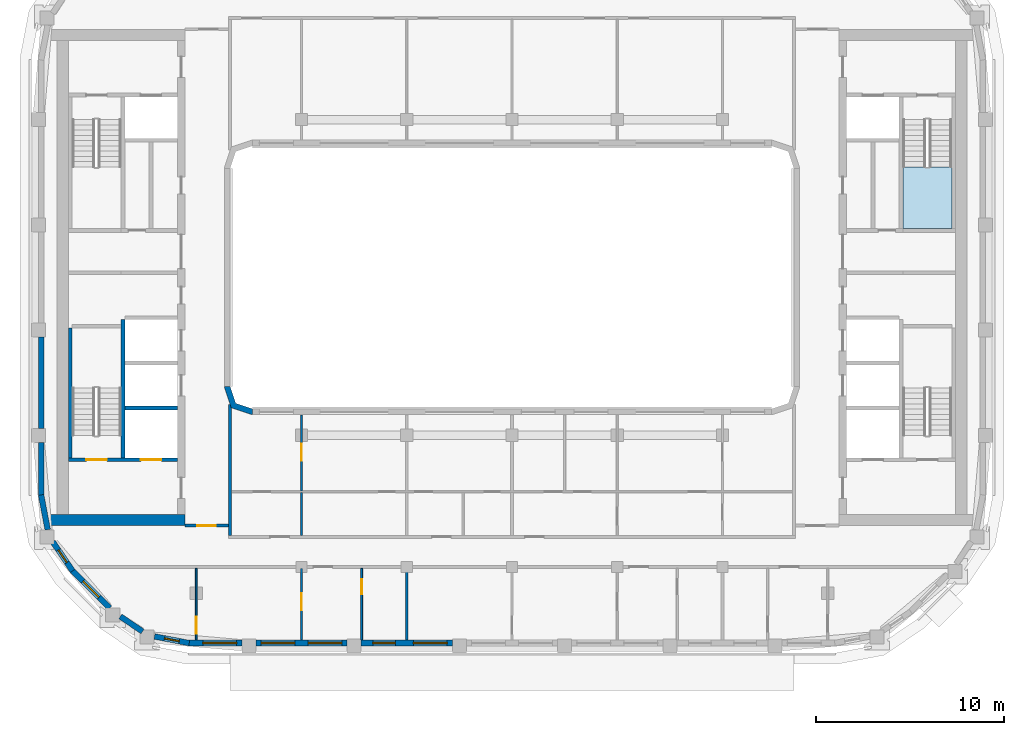
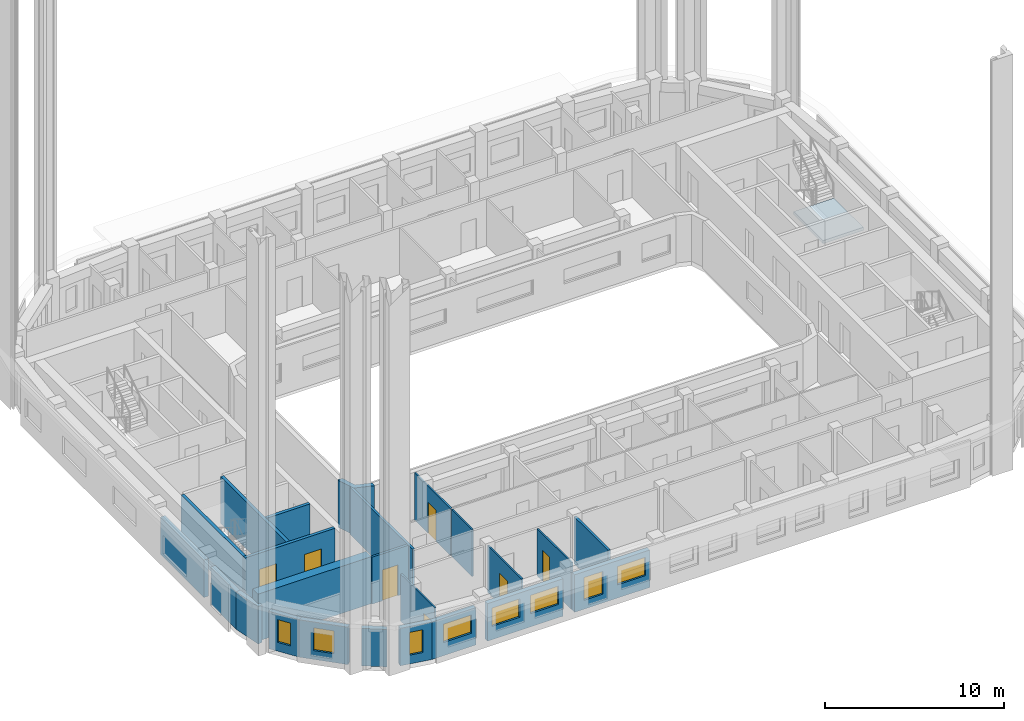
# One storey, part 2 of 15: 24 walls, 8 windows, 7 doors, 1 slab, 15 openings, 1 element without a shape of its own.
"""IFC4 building model written with IfcOpenShell, lengths in metres."""

from ifc_helpers import new_model, si_unit, direction, frame, frame_2d, origin, place, context, subcontext, project, spatial, polyline, rectangle, outline, extrude, material, layer, layer_set, type_object, element, fill, aggregate, save


model = new_model("IFC4")

# Units and contexts
model_context = context("Model", 3, precision=1e-05, world=origin(), true_north=direction((0.0, 1.0)))
body_context = subcontext(model_context, "Body", "Model", "MODEL_VIEW")
ifc_project = project(units=[si_unit("LENGTHUNIT", "METRE"), si_unit("AREAUNIT", "SQUARE_METRE"), si_unit("VOLUMEUNIT", "CUBIC_METRE"), si_unit("PLANEANGLEUNIT", "RADIAN"), si_unit("MASSUNIT", "GRAM", prefix="KILO")], contexts=[model_context])

# Site, building, storey
site_placement = place(None, origin())
site = spatial("IfcSite", under=ifc_project, at=site_placement, CompositionType="ELEMENT")
building_placement = place(site_placement, origin())
building = spatial("IfcBuilding", under=site, at=building_placement, Name="Kiln Ring Residences", CompositionType="ELEMENT")
storey_placement = place(building_placement, frame((0.0, 0.0, 266.199951171875)))
storey = spatial("IfcBuildingStorey", under=building, at=storey_placement, Name="L69", CompositionType="ELEMENT", Elevation=266.199951171875)

# Stair, slab
ifc_material_1 = material(Name="Concrete C40/50", Category="concrete")
stair_type = type_object("IfcStairType", Name="CORE-STAIR", PredefinedType="HALF_TURN_STAIR", material=ifc_material_1)
placement = place(storey_placement, origin())
stair = element("IfcStair", 1, at=placement, inside=storey, type_object=stair_type, Name="L69 stair E-STN", PredefinedType="HALF_TURN_STAIR")
ifc_material_2 = material(Name="Concrete C40/50", Category="concrete")
ifc_layer_1 = layer(ifc_material_2, 0.199951171875)
ifc_layer_set_1 = layer_set([ifc_layer_1], Name="CORE-STAIR-LANDING")
slab_type = type_object("IfcSlabType", Name="CORE-STAIR-LANDING", PredefinedType="LANDING", material=ifc_layer_set_1)
slab_placement = place(storey_placement, frame((0.0, 0.0, 1.550048828125)))
slab = element("IfcSlab", 2, at=slab_placement, type_object=slab_type, Name="E-STN landing 1", PredefinedType="LANDING", context=body_context, shape_type="SweptSolid", body=[
    extrude(outline(polyline([(20.800048828125, 5.8798828125), (20.800048828125, 2.60009765625), (23.39990234375, 2.60009765625), (23.39990234375, 5.8798828125), (20.800048828125, 5.8798828125)])), origin(), (0.0, 0.0, 1.0), 0.199951171875),
])
aggregate(stair, [slab])

# Walls
ifc_material_3 = material(Name="Gypsum shaft wall system")
ifc_layer_2 = layer(ifc_material_3, 0.199951171875)
ifc_layer_set_2 = layer_set([ifc_layer_2], Name="CORE-SHAFT-WALL-200")
wall_type_1 = type_object("IfcWallType", Name="CORE-SHAFT-WALL-200", PredefinedType="PARTITIONING", material=ifc_layer_set_2)
wall_1_placement = place(storey_placement, frame((-17.800048828125, -6.949951171875, 0.0), z_axis=(0.0, 0.0, 1.0), x_axis=(-1.0, 0.0, 0.0)))
element("IfcWall", 3, at=wall_1_placement, inside=storey, type_object=wall_type_1, Name="Core partition west L69 3", PredefinedType="PARTITIONING", context=body_context, shape_type="SweptSolid", body=[
    extrude(rectangle(XDim=2.800048828125, YDim=0.199951171875, at=frame_2d((1.39990234375, 0.0))), origin(), (0.0, 0.0, 1.0), 3.199951171875),
])
ifc_material_4 = material(Name="Concrete C40/50", Category="concrete")
ifc_layer_3 = layer(ifc_material_4, 0.199951171875)
ifc_layer_set_3 = layer_set([ifc_layer_3], Name="CORE-WALL-RC200")
wall_type_2 = type_object("IfcWallType", Name="CORE-WALL-RC200", PredefinedType="SHEAR", material=ifc_layer_set_3)
wall_2_placement = place(storey_placement, frame((-20.699951171875, -9.60009765625, 0.0), z_axis=(0.0, 0.0, 1.0), x_axis=(0.0, 1.0, 0.0)))
element("IfcWall", 4, at=wall_2_placement, inside=storey, type_object=wall_type_2, Name="Core wall west L69 2", PredefinedType="SHEAR", context=body_context, shape_type="SweptSolid", body=[
    extrude(rectangle(XDim=7.35009765625, YDim=0.199951171875, at=frame_2d((3.675048828125, 0.0))), origin(), (0.0, 0.0, 1.0), 3.199951171875),
])

# Wall, openings, doors
wall_3_placement = place(storey_placement, frame((-17.800048828125, -9.699951171875, 0.0), z_axis=(0.0, 0.0, 1.0), x_axis=(-1.0, 0.0, 0.0)))
wall_3 = element("IfcWall", 5, at=wall_3_placement, inside=storey, type_object=wall_type_2, Name="Core wall west L69 8", PredefinedType="SHEAR", context=body_context, shape_type="SweptSolid", body=[
    extrude(rectangle(XDim=5.800048828125, YDim=0.199951171875, at=frame_2d((2.89990234375, 0.0))), origin(), (0.0, 0.0, 1.0), 3.199951171875),
])
opening_1_placement = place(wall_3_placement, frame((0.85009765625, 0.0, 0.0)))
opening_1 = element("IfcOpeningElement", 6, at=opening_1_placement, cuts=wall_3, Name="Opening L69-CW01", PredefinedType="OPENING", context=body_context, shape_type="SweptSolid", body=[
    extrude(rectangle(XDim=1.10009765625, YDim=2.10009765625, at=frame_2d((0.550048828125, 1.050048828125))), frame((0.0, 0.10986328125, 0.0), z_axis=(0.0, -1.0, 0.0), x_axis=(1.0, 0.0, 0.0)), (0.0, 0.0, 1.0), 0.219970703125),
])
opening_2_placement = place(wall_3_placement, frame((3.75, 0.0, 0.0)))
opening_2 = element("IfcOpeningElement", 7, at=opening_2_placement, cuts=wall_3, Name="Opening L69-CW11", PredefinedType="OPENING", context=body_context, shape_type="SweptSolid", body=[
    extrude(rectangle(XDim=1.10009765625, YDim=2.10009765625, at=frame_2d((0.550048828125, 1.050048828125))), frame((0.0, 0.10986328125, 0.0), z_axis=(0.0, -1.0, 0.0), x_axis=(1.0, 0.0, 0.0)), (0.0, 0.0, 1.0), 0.219970703125),
])
ifc_material_5 = material(Name="Steel door leaf", Category="steel")
door_type_1 = type_object("IfcDoorType", Name="CORE-DOOR-LD", OperationType="DOUBLE_DOOR_SLIDING", PredefinedType="DOOR", material=ifc_material_5)
door_1_placement = place(opening_1_placement, origin())
door_1 = element("IfcDoor", 8, at=door_1_placement, inside=storey, type_object=door_type_1, Name="LD W-SV L69-CW01", OperationType="DOUBLE_DOOR_SLIDING", OverallHeight=2.10009765625, OverallWidth=1.10009765625, PredefinedType="DOOR", context=body_context, shape_type="SweptSolid", body=[
    extrude(rectangle(XDim=1.10009765625, YDim=2.10009765625, at=frame_2d((0.550048828125, 1.050048828125))), frame((0.0, 0.02490234375, 0.0), z_axis=(0.0, -1.0, 0.0), x_axis=(1.0, 0.0, 0.0)), (0.0, 0.0, 1.0), 0.050048828125),
])
fill(opening_1, door_1)
ifc_material_6 = material(Name="Steel door leaf", Category="steel")
door_type_2 = type_object("IfcDoorType", Name="CORE-DOOR-STAIR", OperationType="SINGLE_SWING_LEFT", PredefinedType="DOOR", material=ifc_material_6)
door_2_placement = place(opening_2_placement, origin())
door_2 = element("IfcDoor", 9, at=door_2_placement, inside=storey, type_object=door_type_2, Name="Stair W-STS L69-CW11", OperationType="SINGLE_SWING_RIGHT", OverallHeight=2.10009765625, OverallWidth=1.10009765625, PredefinedType="DOOR", context=body_context, shape_type="SweptSolid", body=[
    extrude(rectangle(XDim=1.10009765625, YDim=2.10009765625, at=frame_2d((0.550048828125, 1.050048828125))), frame((0.0, 0.02490234375, 0.0), z_axis=(0.0, -1.0, 0.0), x_axis=(1.0, 0.0, 0.0)), (0.0, 0.0, 1.0), 0.050048828125),
])
fill(opening_2, door_2)

# Walls
wall_4_placement = place(storey_placement, frame((-23.5, -9.60009765625, 0.0), z_axis=(0.0, 0.0, 1.0), x_axis=(0.0, 1.0, 0.0)))
element("IfcWall", 10, at=wall_4_placement, inside=storey, type_object=wall_type_2, Name="Core wall west L69 11", PredefinedType="SHEAR", context=body_context, shape_type="SweptSolid", body=[
    extrude(rectangle(XDim=6.900146484375, YDim=0.199951171875, at=frame_2d((3.4501953125, 0.0))), origin(), (0.0, 0.0, 1.0), 3.199951171875),
])
ifc_material_7 = material(Name="Concrete C60/75", Category="concrete")
ifc_layer_4 = layer(ifc_material_7, 0.60009765625)
ifc_layer_set_4 = layer_set([ifc_layer_4], Name="CORE-WALL-RC600")
wall_type_3 = type_object("IfcWallType", Name="CORE-WALL-RC600", PredefinedType="SHEAR", material=ifc_layer_set_4)
wall_5_placement = place(storey_placement, frame((-17.39990234375, -12.89990234375, 0.0), z_axis=(0.0, 0.0, 1.0), x_axis=(-1.0, 0.0, 0.0)))
element("IfcWall", 11, at=wall_5_placement, inside=storey, type_object=wall_type_3, Name="Core wall west L69 5", PredefinedType="SHEAR", context=body_context, shape_type="SweptSolid", body=[
    extrude(rectangle(XDim=7.320068359375, YDim=0.60009765625, at=frame_2d((3.66015625, 0.0))), origin(), (0.0, 0.0, 1.0), 3.199951171875),
])

# Wall, opening, window
ifc_material_8 = material(Name="Brick masonry, dark clay brick", Category="masonry")
ifc_layer_5 = layer(ifc_material_8, 0.300048828125)
ifc_layer_set_5 = layer_set([ifc_layer_5], Name="EW-300 BRICK WALL")
wall_type_4 = type_object("IfcWallType", Name="EW-300 BRICK WALL", PredefinedType="SOLIDWALL", material=ifc_layer_set_5)
wall_6_placement = place(storey_placement, frame((-23.39697265625, -15.591064453125, 0.0), z_axis=(0.0, 0.0, 1.0), x_axis=(0.707106781187, -0.707106781187, 0.0)))
wall_6 = element("IfcWall", 12, at=wall_6_placement, inside=storey, type_object=wall_type_4, Name="Facade wall L69 1", PredefinedType="SOLIDWALL", context=body_context, shape_type="SweptSolid", body=[
    extrude(rectangle(XDim=2.824951171875, YDim=0.300048828125, at=frame_2d((1.41259765625, 0.0))), origin(), (0.0, 0.0, 1.0), 2.550048828125),
])
opening_3_placement = place(wall_6_placement, frame((0.8125, 0.0, 0.60009765625)))
opening_3 = element("IfcOpeningElement", 13, at=opening_3_placement, cuts=wall_6, Name="Opening W1", PredefinedType="OPENING", context=body_context, shape_type="SweptSolid", body=[
    extrude(rectangle(XDim=1.199951171875, YDim=1.550048828125, at=frame_2d((0.60009765625, 0.77490234375))), frame((0.0, 0.159912109375, 0.0), z_axis=(0.0, -1.0, 0.0), x_axis=(1.0, 0.0, 0.0)), (0.0, 0.0, 1.0), 0.320068359375),
])
ifc_material_9 = material(Name="Aluminium frame with double glazing", Category="aluminium")
window_type_1 = type_object("IfcWindowType", Name="WINDOW 1200 x 1550", PartitioningType="SINGLE_PANEL", PredefinedType="WINDOW", material=ifc_material_9)
window_1_placement = place(opening_3_placement, origin())
window_1 = element("IfcWindow", 14, at=window_1_placement, inside=storey, type_object=window_type_1, Name="Window L69 1", OverallHeight=1.550048828125, OverallWidth=1.199951171875, PartitioningType="SINGLE_PANEL", PredefinedType="WINDOW", context=body_context, shape_type="SweptSolid", body=[
    extrude(rectangle(XDim=1.199951171875, YDim=1.550048828125, at=frame_2d((0.60009765625, 0.77490234375))), frame((0.0, 0.030029296875, 0.0), z_axis=(0.0, -1.0, 0.0), x_axis=(1.0, 0.0, 0.0)), (0.0, 0.0, 1.0), 0.06005859375),
])
fill(opening_3, window_1)

# Wall
wall_7_placement = place(storey_placement, frame((-20.837158203125, -18.0341796875, 0.0), z_axis=(0.0, 0.0, 1.0), x_axis=(0.827095130818, -0.562061957952, 0.0)))
element("IfcWall", 15, at=wall_7_placement, inside=storey, type_object=wall_type_4, Name="Facade wall L69 2", PredefinedType="SOLIDWALL", context=body_context, shape_type="SweptSolid", body=[
    extrude(rectangle(XDim=1.427001953125, YDim=0.300048828125, at=frame_2d((0.71337890625, 0.0))), origin(), (0.0, 0.0, 1.0), 2.550048828125),
])

# Wall, opening, window
wall_8_placement = place(storey_placement, frame((-19.019775390625, -19.10009765625, 0.0), z_axis=(0.0, 0.0, 1.0), x_axis=(0.982284001233, -0.187398348234, 0.0)))
wall_8 = element("IfcWall", 16, at=wall_8_placement, inside=storey, type_object=wall_type_4, Name="Facade wall L69 3", PredefinedType="SOLIDWALL", context=body_context, shape_type="SweptSolid", body=[
    extrude(rectangle(XDim=1.88134765625, YDim=0.300048828125, at=frame_2d((0.940673828125, 0.0))), origin(), (0.0, 0.0, 1.0), 2.550048828125),
])
opening_4_placement = place(wall_8_placement, frame((0.54052734375, 0.0, 0.60009765625)))
opening_4 = element("IfcOpeningElement", 17, at=opening_4_placement, cuts=wall_8, Name="Opening W5", PredefinedType="OPENING", context=body_context, shape_type="SweptSolid", body=[
    extrude(rectangle(XDim=0.800048828125, YDim=1.550048828125, at=frame_2d((0.39990234375, 0.77490234375))), frame((0.0, 0.159912109375, 0.0), z_axis=(0.0, -1.0, 0.0), x_axis=(1.0, 0.0, 0.0)), (0.0, 0.0, 1.0), 0.320068359375),
])
ifc_material_10 = material(Name="Aluminium frame with double glazing", Category="aluminium")
window_type_2 = type_object("IfcWindowType", Name="WINDOW 800 x 1550", PartitioningType="SINGLE_PANEL", PredefinedType="WINDOW", material=ifc_material_10)
window_2_placement = place(opening_4_placement, origin())
window_2 = element("IfcWindow", 18, at=window_2_placement, inside=storey, type_object=window_type_2, Name="Window L69 2", OverallHeight=1.550048828125, OverallWidth=0.800048828125, PartitioningType="SINGLE_PANEL", PredefinedType="WINDOW", context=body_context, shape_type="SweptSolid", body=[
    extrude(rectangle(XDim=0.800048828125, YDim=1.550048828125, at=frame_2d((0.39990234375, 0.77490234375))), frame((0.0, 0.030029296875, 0.0), z_axis=(0.0, -1.0, 0.0), x_axis=(1.0, 0.0, 0.0)), (0.0, 0.0, 1.0), 0.06005859375),
])
fill(opening_4, window_2)

wall_9_placement = place(storey_placement, frame((-17.199951171875, -19.449951171875, 0.0), z_axis=(0.0, 0.0, 1.0), x_axis=(1.0, 0.0, 0.0)))
wall_9 = element("IfcWall", 19, at=wall_9_placement, inside=storey, type_object=wall_type_4, Name="Facade wall L69 4", PredefinedType="SOLIDWALL", context=body_context, shape_type="SweptSolid", body=[
    extrude(rectangle(XDim=2.824951171875, YDim=0.300048828125, at=frame_2d((1.41259765625, 0.0))), origin(), (0.0, 0.0, 1.0), 2.550048828125),
])
opening_5_placement = place(wall_9_placement, frame((0.75, 0.0, 0.89990234375)))
opening_5 = element("IfcOpeningElement", 20, at=opening_5_placement, cuts=wall_9, Name="Opening W2", PredefinedType="OPENING", context=body_context, shape_type="SweptSolid", body=[
    extrude(rectangle(XDim=1.800048828125, YDim=1.25, at=frame_2d((0.89990234375, 0.625))), frame((0.0, 0.159912109375, 0.0), z_axis=(0.0, -1.0, 0.0), x_axis=(1.0, 0.0, 0.0)), (0.0, 0.0, 1.0), 0.320068359375),
])
ifc_material_11 = material(Name="Aluminium frame with double glazing", Category="aluminium")
window_type_3 = type_object("IfcWindowType", Name="WINDOW 1800 x 1250", PartitioningType="SINGLE_PANEL", PredefinedType="WINDOW", material=ifc_material_11)
window_3_placement = place(opening_5_placement, origin())
window_3 = element("IfcWindow", 21, at=window_3_placement, inside=storey, type_object=window_type_3, Name="Window L69 3", OverallHeight=1.25, OverallWidth=1.800048828125, PartitioningType="SINGLE_PANEL", PredefinedType="WINDOW", context=body_context, shape_type="SweptSolid", body=[
    extrude(rectangle(XDim=1.800048828125, YDim=1.25, at=frame_2d((0.89990234375, 0.625))), frame((0.0, 0.030029296875, 0.0), z_axis=(0.0, -1.0, 0.0), x_axis=(1.0, 0.0, 0.0)), (0.0, 0.0, 1.0), 0.06005859375),
])
fill(opening_5, window_3)

# Wall, openings, windows
wall_10_placement = place(storey_placement, frame((-13.625, -19.449951171875, 0.0), z_axis=(0.0, 0.0, 1.0), x_axis=(1.0, 0.0, 0.0)))
wall_10 = element("IfcWall", 22, at=wall_10_placement, inside=storey, type_object=wall_type_4, Name="Facade wall L69 5", PredefinedType="SOLIDWALL", context=body_context, shape_type="SweptSolid", body=[
    extrude(rectangle(XDim=4.85009765625, YDim=0.300048828125, at=frame_2d((2.425048828125, 0.0))), origin(), (0.0, 0.0, 1.0), 2.550048828125),
])
opening_6_placement = place(wall_10_placement, frame((0.27490234375, 0.0, 0.89990234375)))
opening_6 = element("IfcOpeningElement", 23, at=opening_6_placement, cuts=wall_10, Name="Opening W2", PredefinedType="OPENING", context=body_context, shape_type="SweptSolid", body=[
    extrude(rectangle(XDim=1.800048828125, YDim=1.25, at=frame_2d((0.89990234375, 0.625))), frame((0.0, 0.159912109375, 0.0), z_axis=(0.0, -1.0, 0.0), x_axis=(1.0, 0.0, 0.0)), (0.0, 0.0, 1.0), 0.320068359375),
])
opening_7_placement = place(wall_10_placement, frame((2.77490234375, 0.0, 0.89990234375)))
opening_7 = element("IfcOpeningElement", 24, at=opening_7_placement, cuts=wall_10, Name="Opening W2", PredefinedType="OPENING", context=body_context, shape_type="SweptSolid", body=[
    extrude(rectangle(XDim=1.800048828125, YDim=1.25, at=frame_2d((0.89990234375, 0.625))), frame((0.0, 0.159912109375, 0.0), z_axis=(0.0, -1.0, 0.0), x_axis=(1.0, 0.0, 0.0)), (0.0, 0.0, 1.0), 0.320068359375),
])
window_4_placement = place(opening_6_placement, origin())
window_4 = element("IfcWindow", 25, at=window_4_placement, inside=storey, type_object=window_type_3, Name="Window L69 4", OverallHeight=1.25, OverallWidth=1.800048828125, PartitioningType="SINGLE_PANEL", PredefinedType="WINDOW", context=body_context, shape_type="SweptSolid", body=[
    extrude(rectangle(XDim=1.800048828125, YDim=1.25, at=frame_2d((0.89990234375, 0.625))), frame((0.0, 0.030029296875, 0.0), z_axis=(0.0, -1.0, 0.0), x_axis=(1.0, 0.0, 0.0)), (0.0, 0.0, 1.0), 0.06005859375),
])
fill(opening_6, window_4)
window_5_placement = place(opening_7_placement, origin())
window_5 = element("IfcWindow", 26, at=window_5_placement, inside=storey, type_object=window_type_3, Name="Window L69 5", OverallHeight=1.25, OverallWidth=1.800048828125, PartitioningType="SINGLE_PANEL", PredefinedType="WINDOW", context=body_context, shape_type="SweptSolid", body=[
    extrude(rectangle(XDim=1.800048828125, YDim=1.25, at=frame_2d((0.89990234375, 0.625))), frame((0.0, 0.030029296875, 0.0), z_axis=(0.0, -1.0, 0.0), x_axis=(1.0, 0.0, 0.0)), (0.0, 0.0, 1.0), 0.06005859375),
])
fill(opening_7, window_5)

wall_11_placement = place(storey_placement, frame((-8.02490234375, -19.449951171875, 0.0), z_axis=(0.0, 0.0, 1.0), x_axis=(1.0, 0.0, 0.0)))
wall_11 = element("IfcWall", 27, at=wall_11_placement, inside=storey, type_object=wall_type_4, Name="Facade wall L69 6", PredefinedType="SOLIDWALL", context=body_context, shape_type="SweptSolid", body=[
    extrude(rectangle(XDim=4.849853515625, YDim=0.300048828125, at=frame_2d((2.4248046875, 0.0))), origin(), (0.0, 0.0, 1.0), 2.550048828125),
])
opening_8_placement = place(wall_11_placement, frame((0.625, 0.0, 0.60009765625)))
opening_8 = element("IfcOpeningElement", 28, at=opening_8_placement, cuts=wall_11, Name="Opening W1", PredefinedType="OPENING", context=body_context, shape_type="SweptSolid", body=[
    extrude(rectangle(XDim=1.199951171875, YDim=1.550048828125, at=frame_2d((0.60009765625, 0.77490234375))), frame((0.0, 0.159912109375, 0.0), z_axis=(0.0, -1.0, 0.0), x_axis=(1.0, 0.0, 0.0)), (0.0, 0.0, 1.0), 0.320068359375),
])
opening_9_placement = place(wall_11_placement, frame((2.77490234375, 0.0, 0.89990234375)))
opening_9 = element("IfcOpeningElement", 29, at=opening_9_placement, cuts=wall_11, Name="Opening W2", PredefinedType="OPENING", context=body_context, shape_type="SweptSolid", body=[
    extrude(rectangle(XDim=1.800048828125, YDim=1.25, at=frame_2d((0.89990234375, 0.625))), frame((0.0, 0.159912109375, 0.0), z_axis=(0.0, -1.0, 0.0), x_axis=(1.0, 0.0, 0.0)), (0.0, 0.0, 1.0), 0.320068359375),
])
window_6_placement = place(opening_8_placement, origin())
window_6 = element("IfcWindow", 30, at=window_6_placement, inside=storey, type_object=window_type_1, Name="Window L69 6", OverallHeight=1.550048828125, OverallWidth=1.199951171875, PartitioningType="SINGLE_PANEL", PredefinedType="WINDOW", context=body_context, shape_type="SweptSolid", body=[
    extrude(rectangle(XDim=1.199951171875, YDim=1.550048828125, at=frame_2d((0.60009765625, 0.77490234375))), frame((0.0, 0.030029296875, 0.0), z_axis=(0.0, -1.0, 0.0), x_axis=(1.0, 0.0, 0.0)), (0.0, 0.0, 1.0), 0.06005859375),
])
fill(opening_8, window_6)
window_7_placement = place(opening_9_placement, origin())
window_7 = element("IfcWindow", 31, at=window_7_placement, inside=storey, type_object=window_type_3, Name="Window L69 7", OverallHeight=1.25, OverallWidth=1.800048828125, PartitioningType="SINGLE_PANEL", PredefinedType="WINDOW", context=body_context, shape_type="SweptSolid", body=[
    extrude(rectangle(XDim=1.800048828125, YDim=1.25, at=frame_2d((0.89990234375, 0.625))), frame((0.0, 0.030029296875, 0.0), z_axis=(0.0, -1.0, 0.0), x_axis=(1.0, 0.0, 0.0)), (0.0, 0.0, 1.0), 0.06005859375),
])
fill(opening_9, window_7)

# Walls
wall_12_placement = place(storey_placement, frame((-25.050048828125, -3.175048828125, 0.0), z_axis=(0.0, 0.0, 1.0), x_axis=(0.0, -1.0, 0.0)))
element("IfcWall", 32, at=wall_12_placement, inside=storey, type_object=wall_type_4, Name="Facade wall L69 41", PredefinedType="SOLIDWALL", context=body_context, shape_type="SweptSolid", body=[
    extrude(rectangle(XDim=4.849853515625, YDim=0.300048828125, at=frame_2d((2.4248046875, 0.0))), origin(), (0.0, 0.0, 1.0), 2.550048828125),
])
wall_13_placement = place(storey_placement, frame((-25.050048828125, -8.77490234375, 0.0), z_axis=(0.0, 0.0, 1.0), x_axis=(0.0, -1.0, 0.0)))
element("IfcWall", 33, at=wall_13_placement, inside=storey, type_object=wall_type_4, Name="Facade wall L69 42", PredefinedType="SOLIDWALL", context=body_context, shape_type="SweptSolid", body=[
    extrude(rectangle(XDim=2.8251953125, YDim=0.300048828125, at=frame_2d((1.41259765625, 0.0))), origin(), (0.0, 0.0, 1.0), 2.550048828125),
])
wall_14_placement = place(storey_placement, frame((-25.052734375, -11.57177734375, 0.0), z_axis=(0.0, 0.0, 1.0), x_axis=(0.187398348234, -0.982284001233, 0.0)))
element("IfcWall", 34, at=wall_14_placement, inside=storey, type_object=wall_type_4, Name="Facade wall L69 43", PredefinedType="SOLIDWALL", context=body_context, shape_type="SweptSolid", body=[
    extrude(rectangle(XDim=1.88134765625, YDim=0.300048828125, at=frame_2d((0.940673828125, 0.0))), origin(), (0.0, 0.0, 1.0), 2.550048828125),
])

# Wall, opening, window
wall_15_placement = place(storey_placement, frame((-24.436279296875, -14.056884765625, 0.0), z_axis=(0.0, 0.0, 1.0), x_axis=(0.562075713892, -0.827085782645, 0.0)))
wall_15 = element("IfcWall", 35, at=wall_15_placement, inside=storey, type_object=wall_type_4, Name="Facade wall L69 44", PredefinedType="SOLIDWALL", context=body_context, shape_type="SweptSolid", body=[
    extrude(rectangle(XDim=1.881103515625, YDim=0.300048828125, at=frame_2d((0.9404296875, 0.0))), origin(), (0.0, 0.0, 1.0), 2.550048828125),
])
opening_10_placement = place(wall_15_placement, frame((0.54052734375, 0.0, 0.60009765625)))
opening_10 = element("IfcOpeningElement", 36, at=opening_10_placement, cuts=wall_15, Name="Opening W5", PredefinedType="OPENING", context=body_context, shape_type="SweptSolid", body=[
    extrude(rectangle(XDim=0.800048828125, YDim=1.550048828125, at=frame_2d((0.39990234375, 0.77490234375))), frame((0.0, 0.159912109375, 0.0), z_axis=(0.0, -1.0, 0.0), x_axis=(1.0, 0.0, 0.0)), (0.0, 0.0, 1.0), 0.320068359375),
])
window_8_placement = place(opening_10_placement, origin())
window_8 = element("IfcWindow", 37, at=window_8_placement, inside=storey, type_object=window_type_2, Name="Window L69 36", OverallHeight=1.550048828125, OverallWidth=0.800048828125, PartitioningType="SINGLE_PANEL", PredefinedType="WINDOW", context=body_context, shape_type="SweptSolid", body=[
    extrude(rectangle(XDim=0.800048828125, YDim=1.550048828125, at=frame_2d((0.39990234375, 0.77490234375))), frame((0.0, 0.030029296875, 0.0), z_axis=(0.0, -1.0, 0.0), x_axis=(1.0, 0.0, 0.0)), (0.0, 0.0, 1.0), 0.06005859375),
])
fill(opening_10, window_8)

# Wall
element("IfcWall", 38, at=placement, inside=storey, type_object=wall_type_4, Name="Corner wall L69 4", PredefinedType="SOLIDWALL", context=body_context, shape_type="SweptSolid", body=[
    extrude(outline(polyline([(-14.937255859375, -6.937255859375), (-13.8486328125, -7.300048828125), (-13.800048828125, -7.300048828125), (-13.800048828125, -7.0), (-14.699951171875, -6.699951171875), (-15.0, -5.800048828125), (-15.300048828125, -5.800048828125), (-15.300048828125, -5.8486328125), (-14.937255859375, -6.937255859375)])), origin(), (0.0, 0.0, 1.0), 3.199951171875),
])

# Wall, opening, door
ifc_material_12 = material(Name="Gypsum board on steel studs", Category="steel")
ifc_layer_6 = layer(ifc_material_12, 0.10009765625)
ifc_layer_set_6 = layer_set([ifc_layer_6], Name="PARTITION-100")
wall_type_5 = type_object("IfcWallType", Name="PARTITION-100", PredefinedType="PARTITIONING", material=ifc_layer_set_6)
wall_17_placement = place(storey_placement, frame((-16.800048828125, -19.280029296875, 0.0), z_axis=(0.0, 0.0, 1.0), x_axis=(0.0, 1.0, 0.0)))
wall_17 = element("IfcWall", 39, at=wall_17_placement, inside=storey, type_object=wall_type_5, Name="Partition 009", PredefinedType="PARTITIONING", context=body_context, shape_type="SweptSolid", body=[
    extrude(rectangle(XDim=3.804931640625, YDim=0.10009765625, at=frame_2d((1.90234375, 0.0))), origin(), (0.0, 0.0, 1.0), 3.199951171875),
])
opening_11_placement = place(wall_17_placement, frame((0.3291015625, 0.0, 0.0)))
opening_11 = element("IfcOpeningElement", 40, at=opening_11_placement, cuts=wall_17, Name="Opening L69-D040", PredefinedType="OPENING", context=body_context, shape_type="SweptSolid", body=[
    extrude(rectangle(XDim=0.89990234375, YDim=2.10009765625, at=frame_2d((0.449951171875, 1.050048828125))), frame((0.0, 0.06005859375, 0.0), z_axis=(0.0, -1.0, 0.0), x_axis=(1.0, 0.0, 0.0)), (0.0, 0.0, 1.0), 0.1201171875),
])
ifc_material_13 = material(Name="Timber door leaf", Category="wood")
door_type_3 = type_object("IfcDoorType", Name="FLAT-DOOR-900-PL", OperationType="SINGLE_SWING_LEFT", PredefinedType="DOOR", material=ifc_material_13)
door_3_placement = place(opening_11_placement, origin())
door_3 = element("IfcDoor", 41, at=door_3_placement, inside=storey, type_object=door_type_3, Name="Door L69-D040", OperationType="SINGLE_SWING_RIGHT", OverallHeight=2.10009765625, OverallWidth=0.89990234375, PredefinedType="DOOR", context=body_context, shape_type="SweptSolid", body=[
    extrude(rectangle(XDim=0.89990234375, YDim=2.10009765625, at=frame_2d((0.449951171875, 1.050048828125))), frame((0.0, 0.02490234375, 0.0), z_axis=(0.0, -1.0, 0.0), x_axis=(1.0, 0.0, 0.0)), (0.0, 0.0, 1.0), 0.050048828125),
])
fill(opening_11, door_3)

wall_18_placement = place(storey_placement, frame((-11.199951171875, -19.280029296875, 0.0), z_axis=(0.0, 0.0, 1.0), x_axis=(0.0, 1.0, 0.0)))
wall_18 = element("IfcWall", 42, at=wall_18_placement, inside=storey, type_object=wall_type_5, Name="Partition 014", PredefinedType="PARTITIONING", context=body_context, shape_type="SweptSolid", body=[
    extrude(rectangle(XDim=3.804931640625, YDim=0.10009765625, at=frame_2d((1.90234375, 0.0))), origin(), (0.0, 0.0, 1.0), 3.199951171875),
])
opening_12_placement = place(wall_18_placement, frame((1.5791015625, 0.0, 0.0)))
opening_12 = element("IfcOpeningElement", 43, at=opening_12_placement, cuts=wall_18, Name="Opening L69-D039", PredefinedType="OPENING", context=body_context, shape_type="SweptSolid", body=[
    extrude(rectangle(XDim=0.89990234375, YDim=2.10009765625, at=frame_2d((0.449951171875, 1.050048828125))), frame((0.0, 0.06005859375, 0.0), z_axis=(0.0, -1.0, 0.0), x_axis=(1.0, 0.0, 0.0)), (0.0, 0.0, 1.0), 0.1201171875),
])
door_4_placement = place(opening_12_placement, origin())
door_4 = element("IfcDoor", 44, at=door_4_placement, inside=storey, type_object=door_type_3, Name="Door L69-D039", OperationType="SINGLE_SWING_LEFT", OverallHeight=2.10009765625, OverallWidth=0.89990234375, PredefinedType="DOOR", context=body_context, shape_type="SweptSolid", body=[
    extrude(rectangle(XDim=0.89990234375, YDim=2.10009765625, at=frame_2d((0.449951171875, 1.050048828125))), frame((0.0, 0.02490234375, 0.0), z_axis=(0.0, -1.0, 0.0), x_axis=(1.0, 0.0, 0.0)), (0.0, 0.0, 1.0), 0.050048828125),
])
fill(opening_12, door_4)

# Wall
wall_19_placement = place(storey_placement, frame((-11.199951171875, -13.72509765625, 0.0), z_axis=(0.0, 0.0, 1.0), x_axis=(0.0, 1.0, 0.0)))
element("IfcWall", 45, at=wall_19_placement, inside=storey, type_object=wall_type_5, Name="Partition 015", PredefinedType="PARTITIONING", context=body_context, shape_type="SweptSolid", body=[
    extrude(rectangle(XDim=2.275146484375, YDim=0.10009765625, at=frame_2d((1.1376953125, 0.0))), origin(), (0.0, 0.0, 1.0), 3.199951171875),
])

# Wall, opening, door
wall_20_placement = place(storey_placement, frame((-11.199951171875, -11.35009765625, 0.0), z_axis=(0.0, 0.0, 1.0), x_axis=(0.0, 1.0, 0.0)))
wall_20 = element("IfcWall", 46, at=wall_20_placement, inside=storey, type_object=wall_type_5, Name="Partition 016", PredefinedType="PARTITIONING", context=body_context, shape_type="SweptSolid", body=[
    extrude(rectangle(XDim=4.030029296875, YDim=0.10009765625, at=frame_2d((2.01513671875, 0.0))), origin(), (0.0, 0.0, 1.0), 3.199951171875),
])
opening_13_placement = place(wall_20_placement, frame((1.60009765625, 0.0, 0.0)))
opening_13 = element("IfcOpeningElement", 47, at=opening_13_placement, cuts=wall_20, Name="Opening L69-D026", PredefinedType="OPENING", context=body_context, shape_type="SweptSolid", body=[
    extrude(rectangle(XDim=0.89990234375, YDim=2.10009765625, at=frame_2d((0.449951171875, 1.050048828125))), frame((0.0, 0.06005859375, 0.0), z_axis=(0.0, -1.0, 0.0), x_axis=(1.0, 0.0, 0.0)), (0.0, 0.0, 1.0), 0.1201171875),
])
door_5_placement = place(opening_13_placement, origin())
door_5 = element("IfcDoor", 48, at=door_5_placement, inside=storey, type_object=door_type_3, Name="Door L69-D026", OperationType="SINGLE_SWING_RIGHT", OverallHeight=2.10009765625, OverallWidth=0.89990234375, PredefinedType="DOOR", context=body_context, shape_type="SweptSolid", body=[
    extrude(rectangle(XDim=0.89990234375, YDim=2.10009765625, at=frame_2d((0.449951171875, 1.050048828125))), frame((0.0, 0.02490234375, 0.0), z_axis=(0.0, -1.0, 0.0), x_axis=(1.0, 0.0, 0.0)), (0.0, 0.0, 1.0), 0.050048828125),
])
fill(opening_13, door_5)

wall_21_placement = place(storey_placement, frame((-8.0, -19.280029296875, 0.0), z_axis=(0.0, 0.0, 1.0), x_axis=(0.0, 1.0, 0.0)))
wall_21 = element("IfcWall", 49, at=wall_21_placement, inside=storey, type_object=wall_type_5, Name="Partition 020", PredefinedType="PARTITIONING", context=body_context, shape_type="SweptSolid", body=[
    extrude(rectangle(XDim=3.804931640625, YDim=0.10009765625, at=frame_2d((1.90234375, 0.0))), origin(), (0.0, 0.0, 1.0), 3.199951171875),
])
opening_14_placement = place(wall_21_placement, frame((2.419921875, 0.0, 0.0)))
opening_14 = element("IfcOpeningElement", 50, at=opening_14_placement, cuts=wall_21, Name="Opening L69-D038", PredefinedType="OPENING", context=body_context, shape_type="SweptSolid", body=[
    extrude(rectangle(XDim=0.800048828125, YDim=2.10009765625, at=frame_2d((0.39990234375, 1.050048828125))), frame((0.0, 0.06005859375, 0.0), z_axis=(0.0, -1.0, 0.0), x_axis=(1.0, 0.0, 0.0)), (0.0, 0.0, 1.0), 0.1201171875),
])
ifc_material_14 = material(Name="Timber door leaf", Category="wood")
door_type_4 = type_object("IfcDoorType", Name="FLAT-DOOR-800-PL", OperationType="SINGLE_SWING_LEFT", PredefinedType="DOOR", material=ifc_material_14)
door_6_placement = place(opening_14_placement, origin())
door_6 = element("IfcDoor", 51, at=door_6_placement, inside=storey, type_object=door_type_4, Name="Door L69-D038", OperationType="SINGLE_SWING_RIGHT", OverallHeight=2.10009765625, OverallWidth=0.800048828125, PredefinedType="DOOR", context=body_context, shape_type="SweptSolid", body=[
    extrude(rectangle(XDim=0.800048828125, YDim=2.10009765625, at=frame_2d((0.39990234375, 1.050048828125))), frame((0.0, 0.02490234375, 0.0), z_axis=(0.0, -1.0, 0.0), x_axis=(1.0, 0.0, 0.0)), (0.0, 0.0, 1.0), 0.050048828125),
])
fill(opening_14, door_6)

ifc_material_15 = material(Name="Brick masonry partition", Category="masonry")
ifc_layer_7 = layer(ifc_material_15, 0.14990234375)
ifc_layer_set_7 = layer_set([ifc_layer_7], Name="PARTITION-150-ei60")
wall_type_6 = type_object("IfcWallType", Name="PARTITION-150-ei60", PredefinedType="PARTITIONING", material=ifc_layer_set_7)
wall_22_placement = place(storey_placement, frame((-17.39990234375, -13.199951171875, 0.0), z_axis=(0.0, 0.0, 1.0), x_axis=(1.0, 0.0, 0.0)))
wall_22 = element("IfcWall", 52, at=wall_22_placement, inside=storey, type_object=wall_type_6, Name="Partition 002", PredefinedType="PARTITIONING", context=body_context, shape_type="SweptSolid", body=[
    extrude(rectangle(XDim=2.324951171875, YDim=0.14990234375, at=frame_2d((1.16259765625, 0.0))), origin(), (0.0, 0.0, 1.0), 3.199951171875),
])
opening_15_placement = place(wall_22_placement, frame((0.64990234375, 0.0, 0.0)))
opening_15 = element("IfcOpeningElement", 53, at=opening_15_placement, cuts=wall_22, Name="Opening L69-D003", PredefinedType="OPENING", context=body_context, shape_type="SweptSolid", body=[
    extrude(rectangle(XDim=1.0, YDim=2.10009765625, at=frame_2d((0.5, 1.050048828125))), frame((0.0, 0.0849609375, 0.0), z_axis=(0.0, -1.0, 0.0), x_axis=(1.0, 0.0, 0.0)), (0.0, 0.0, 1.0), 0.169921875),
])
ifc_material_16 = material(Name="Steel faced fire door leaf", Category="steel")
door_type_5 = type_object("IfcDoorType", Name="FLAT-DOOR-1000-FR", OperationType="SINGLE_SWING_LEFT", PredefinedType="DOOR", material=ifc_material_16)
door_7_placement = place(opening_15_placement, origin())
door_7 = element("IfcDoor", 54, at=door_7_placement, inside=storey, type_object=door_type_5, Name="Door L69-D003", OperationType="SINGLE_SWING_RIGHT", OverallHeight=2.10009765625, OverallWidth=1.0, PredefinedType="DOOR", context=body_context, shape_type="SweptSolid", body=[
    extrude(rectangle(XDim=1.0, YDim=2.10009765625, at=frame_2d((0.5, 1.050048828125))), frame((0.0, 0.02490234375, 0.0), z_axis=(0.0, -1.0, 0.0), x_axis=(1.0, 0.0, 0.0)), (0.0, 0.0, 1.0), 0.050048828125),
])
fill(opening_15, door_7)

# Walls
wall_23_placement = place(storey_placement, frame((-15.0, -13.72509765625, 0.0), z_axis=(0.0, 0.0, 1.0), x_axis=(0.0, 1.0, 0.0)))
element("IfcWall", 55, at=wall_23_placement, inside=storey, type_object=wall_type_6, Name="Partition 011", PredefinedType="PARTITIONING", context=body_context, shape_type="SweptSolid", body=[
    extrude(rectangle(XDim=6.956298828125, YDim=0.14990234375, at=frame_2d((3.47802734375, 0.0))), origin(), (0.0, 0.0, 1.0), 3.199951171875),
])
wall_24_placement = place(storey_placement, frame((-5.60009765625, -19.280029296875, 0.0), z_axis=(0.0, 0.0, 1.0), x_axis=(0.0, 1.0, 0.0)))
element("IfcWall", 56, at=wall_24_placement, inside=storey, type_object=wall_type_6, Name="Partition 023", PredefinedType="PARTITIONING", context=body_context, shape_type="SweptSolid", body=[
    extrude(rectangle(XDim=3.804931640625, YDim=0.14990234375, at=frame_2d((1.90234375, 0.0))), origin(), (0.0, 0.0, 1.0), 3.199951171875),
])

save(model, "model.ifc")
